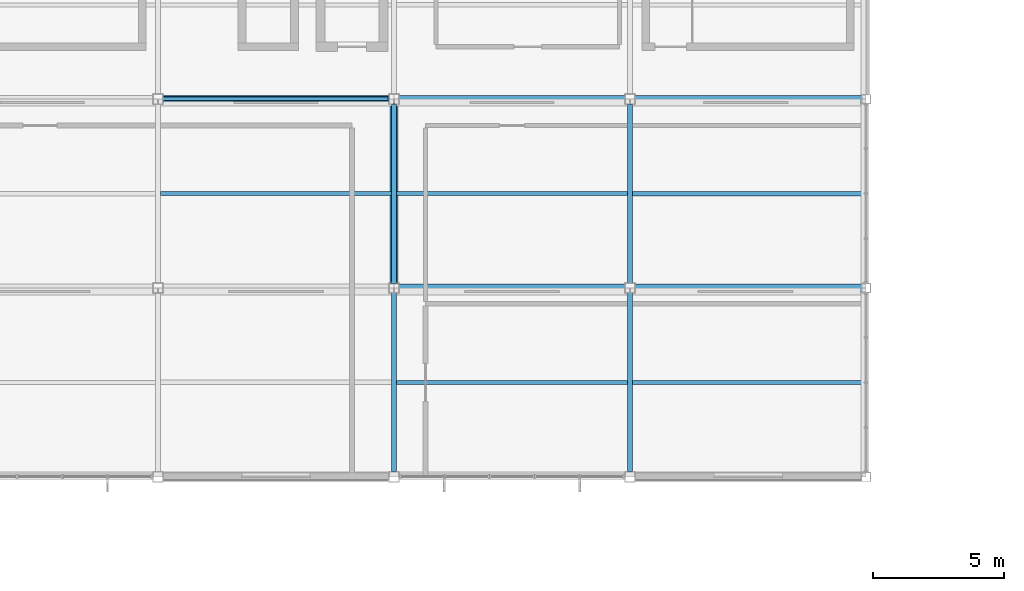
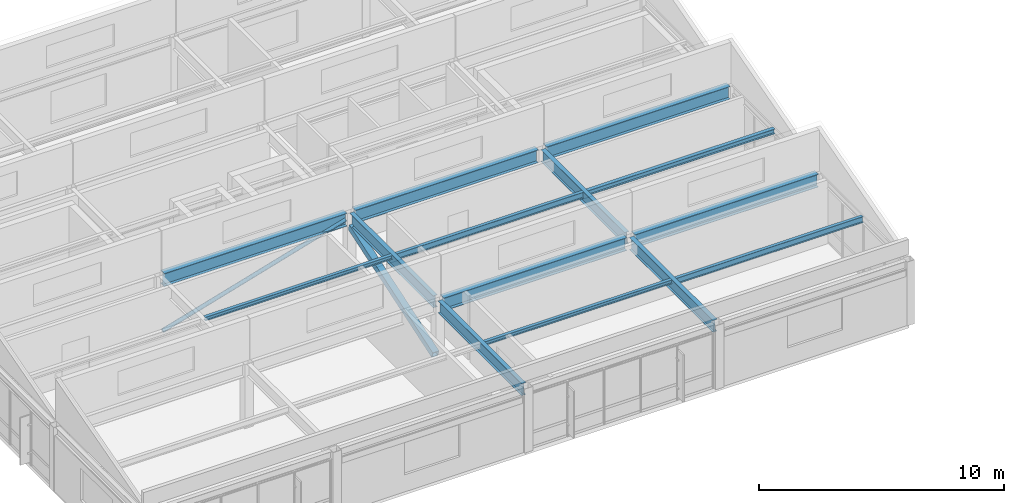
# One storey, part 11 of 43: 14 beams, 2 members.
"""IFC4 building model written with IfcOpenShell, lengths in metres."""

from ifc_helpers import new_model, si_unit, direction, frame, origin, origin_2d, place, context, subcontext, project, spatial, hollow_rectangle, hollow_circle, i_section, extrude, material, material_profile, profile_set, type_object, element, save


model = new_model("IFC4")

# Units and contexts
model_context = context("Model", 3, precision=1e-05, world=origin(), true_north=direction((0.0, 1.0)))
body_context = subcontext(model_context, "Body", "Model", "MODEL_VIEW")
ifc_project = project(units=[si_unit("LENGTHUNIT", "METRE"), si_unit("AREAUNIT", "SQUARE_METRE"), si_unit("VOLUMEUNIT", "CUBIC_METRE"), si_unit("PLANEANGLEUNIT", "RADIAN"), si_unit("MASSUNIT", "GRAM", prefix="KILO")], contexts=[model_context])

# Site, building, storey
site_placement = place(None, origin())
site = spatial("IfcSite", under=ifc_project, at=site_placement, CompositionType="ELEMENT")
building_placement = place(site_placement, origin())
building = spatial("IfcBuilding", under=site, at=building_placement, Name="Kazanami Central Library", CompositionType="ELEMENT")
storey_placement = place(building_placement, frame((0.0, 0.0, 20.60009765625)))
storey = spatial("IfcBuildingStorey", under=building, at=storey_placement, Name="L06", CompositionType="ELEMENT", Elevation=20.60009765625)

# Beams
ifc_material_1 = material(Name="Steel SN400B (235 MPa)", Category="steel")
ifc_material_profile_1 = material_profile(ifc_material_1, i_section(OverallWidth=0.14990234375, OverallDepth=0.300048828125, WebThickness=0.006591796875, FlangeThickness=0.009033203125, at=origin_2d()), Name="H-300x150x6.5x9")
ifc_profile_set_1 = profile_set([ifc_material_profile_1], Name="Steel SN400B (235 MPa)")
beam_type_1 = type_object("IfcBeamType", Name="BM-B-S4", PredefinedType="JOIST", material=ifc_profile_set_1)
for number, where, z_axis, x_axis, name in (
    (1, (18.097900390625, 75.60009765625, 3.02978515625), (1.0, 0.0, 0.0), (0.0, 1.0, 0.0), "Composite Secondary Joist B-S4 L06 Bay 3/L.1"),
    (2, (27.097900390625, 68.39990234375, 3.02978515625), (1.0, 0.0, 0.0), (0.0, 1.0, 0.0), "Composite Secondary Joist B-S4 L06 Bay 4/K.1"),
):
    element("IfcBeam", number, at=place(storey_placement, frame(where, z_axis=z_axis, x_axis=x_axis)), inside=storey, type_object=beam_type_1, Name=name, PredefinedType="JOIST", context=body_context, shape_type="SweptSolid", body=[
        extrude(i_section(OverallWidth=0.14990234375, OverallDepth=0.300048828125, WebThickness=0.006591796875, FlangeThickness=0.009033203125, at=origin_2d()), origin(), (0.0, 0.0, 1.0), 8.80419921875),
    ])
ifc_material_profile_2 = material_profile(ifc_material_1, i_section(OverallWidth=0.175048828125, OverallDepth=0.243896484375, WebThickness=0.007080078125, FlangeThickness=0.010986328125, at=origin_2d()), Name="H-244x175x7x11")
ifc_profile_set_2 = profile_set([ifc_material_profile_2], Name="Steel SN400B (235 MPa)")
beam_type_2 = type_object("IfcBeamType", Name="BM-B-S6", PredefinedType="JOIST", material=ifc_profile_set_2)
beam_1_placement = place(storey_placement, frame((27.097900390625, 75.60009765625, 3.057861328125), z_axis=(1.0, 0.0, 0.0), x_axis=(0.0, 1.0, 0.0)))
element("IfcBeam", 3, at=beam_1_placement, inside=storey, type_object=beam_type_2, Name="Composite Secondary Joist B-S6 L06 Bay 4/L.1", PredefinedType="JOIST", context=body_context, shape_type="SweptSolid", body=[
    extrude(i_section(OverallWidth=0.175048828125, OverallDepth=0.243896484375, WebThickness=0.007080078125, FlangeThickness=0.010986328125, at=origin_2d()), origin(), (0.0, 0.0, 1.0), 8.80419921875),
])
ifc_material_profile_3 = material_profile(ifc_material_1, i_section(OverallWidth=0.14990234375, OverallDepth=0.194091796875, WebThickness=0.006103515625, FlangeThickness=0.009033203125, at=origin_2d()), Name="H-194x150x6x9")
ifc_profile_set_3 = profile_set([ifc_material_profile_3], Name="Steel SN400B (235 MPa)")
beam_type_3 = type_object("IfcBeamType", Name="BM-B-S7", PredefinedType="JOIST", material=ifc_profile_set_3)
for number, where, z_axis, x_axis, name in (
    (4, (9.097900390625, 75.60009765625, 3.0830078125), (1.0, 0.0, 0.0), (0.0, 1.0, 0.0), "Composite Secondary Joist B-S7 L06 Bay 2/L.1"),
    (5, (18.097900390625, 68.39990234375, 3.0830078125), (1.0, 0.0, 0.0), (0.0, 1.0, 0.0), "Composite Secondary Joist B-S7 L06 Bay 3/K.1"),
):
    element("IfcBeam", number, at=place(storey_placement, frame(where, z_axis=z_axis, x_axis=x_axis)), inside=storey, type_object=beam_type_3, Name=name, PredefinedType="JOIST", context=body_context, shape_type="SweptSolid", body=[
        extrude(i_section(OverallWidth=0.14990234375, OverallDepth=0.194091796875, WebThickness=0.006103515625, FlangeThickness=0.009033203125, at=origin_2d()), origin(), (0.0, 0.0, 1.0), 8.80419921875),
    ])
ifc_material_2 = material(Name="Steel SN490B (325 MPa)", Category="steel")
ifc_material_profile_4 = material_profile(ifc_material_2, i_section(OverallWidth=0.300048828125, OverallDepth=0.64990234375, WebThickness=0.012939453125, FlangeThickness=0.02099609375, at=origin_2d()), Name="H-650x300x13x21")
ifc_profile_set_4 = profile_set([ifc_material_profile_4], Name="Steel SN490B (325 MPa)")
beam_type_4 = type_object("IfcBeamType", Name="BM-G-TR", PredefinedType="BEAM", material=ifc_profile_set_4)
beam_2_placement = place(storey_placement, frame((18.197998046875, 72.0, 2.85498046875), z_axis=(1.0, 0.0, 0.0), x_axis=(0.0, 1.0, 0.0)))
element("IfcBeam", 6, at=beam_2_placement, inside=storey, type_object=beam_type_4, Name="Girder G-TR L06 L/3-4", PredefinedType="BEAM", context=body_context, shape_type="SweptSolid", body=[
    extrude(i_section(OverallWidth=0.300048828125, OverallDepth=0.64990234375, WebThickness=0.012939453125, FlangeThickness=0.02099609375, at=origin_2d()), origin(), (0.0, 0.0, 1.0), 8.60400390625),
])
beam_3_placement = place(storey_placement, frame((27.197998046875, 72.0, 2.85498046875), z_axis=(1.0, 0.0, 0.0), x_axis=(0.0, 1.0, 0.0)))
element("IfcBeam", 7, at=beam_3_placement, inside=storey, type_object=beam_type_4, Name="Girder G-TR L06 L/4-5", PredefinedType="BEAM", context=body_context, shape_type="SweptSolid", body=[
    extrude(i_section(OverallWidth=0.300048828125, OverallDepth=0.64990234375, WebThickness=0.012939453125, FlangeThickness=0.02099609375, at=origin_2d()), origin(), (0.0, 0.0, 1.0), 8.62890625),
])
for number, where, z_axis, x_axis, name in (
    (8, (9.197998046875, 79.199951171875, 2.85498046875), (1.0, 0.0, 0.0), (0.0, 1.0, 0.0), "Girder G-TR L06 M/2-3"),
    (9, (18.197998046875, 79.199951171875, 2.85498046875), (1.0, 0.0, 0.0), (0.0, 1.0, 0.0), "Girder G-TR L06 M/3-4"),
):
    element("IfcBeam", number, at=place(storey_placement, frame(where, z_axis=z_axis, x_axis=x_axis)), inside=storey, type_object=beam_type_4, Name=name, PredefinedType="BEAM", context=body_context, shape_type="SweptSolid", body=[
        extrude(i_section(OverallWidth=0.300048828125, OverallDepth=0.64990234375, WebThickness=0.012939453125, FlangeThickness=0.02099609375, at=origin_2d()), origin(), (0.0, 0.0, 1.0), 8.60400390625),
    ])
beam_4_placement = place(storey_placement, frame((27.197998046875, 79.199951171875, 2.85498046875), z_axis=(1.0, 0.0, 0.0), x_axis=(0.0, 1.0, 0.0)))
element("IfcBeam", 10, at=beam_4_placement, inside=storey, type_object=beam_type_4, Name="Girder G-TR L06 M/4-5", PredefinedType="BEAM", context=body_context, shape_type="SweptSolid", body=[
    extrude(i_section(OverallWidth=0.300048828125, OverallDepth=0.64990234375, WebThickness=0.012939453125, FlangeThickness=0.02099609375, at=origin_2d()), origin(), (0.0, 0.0, 1.0), 8.62890625),
])
ifc_material_profile_5 = material_profile(ifc_material_2, i_section(OverallWidth=0.199951171875, OverallDepth=0.60009765625, WebThickness=0.010986328125, FlangeThickness=0.01708984375, at=origin_2d()), Name="H-600x200x11x17")
ifc_profile_set_5 = profile_set([ifc_material_profile_5], Name="Steel SN490B (325 MPa)")
beam_type_5 = type_object("IfcBeamType", Name="BM-G-Y1", PredefinedType="BEAM", material=ifc_profile_set_5)
for number, where, z_axis, x_axis, name in (
    (11, (18.0, 64.998046875, 2.8798828125), (0.0, 1.0, 0.0), (-1.0, 0.0, 0.0), "Girder G-Y1 L06 3/K-L"),
    (12, (18.0, 72.197998046875, 2.8798828125), (0.0, 1.0, 0.0), (-1.0, 0.0, 0.0), "Girder G-Y1 L06 3/L-M"),
    (13, (27.0, 64.998046875, 2.8798828125), (0.0, 1.0, 0.0), (-1.0, 0.0, 0.0), "Girder G-Y1 L06 4/K-L"),
    (14, (27.0, 72.197998046875, 2.8798828125), (0.0, 1.0, 0.0), (-1.0, 0.0, 0.0), "Girder G-Y1 L06 4/L-M"),
):
    element("IfcBeam", number, at=place(storey_placement, frame(where, z_axis=z_axis, x_axis=x_axis)), inside=storey, type_object=beam_type_5, Name=name, PredefinedType="BEAM", context=body_context, shape_type="SweptSolid", body=[
        extrude(i_section(OverallWidth=0.199951171875, OverallDepth=0.60009765625, WebThickness=0.010986328125, FlangeThickness=0.01708984375, at=origin_2d()), origin(), (0.0, 0.0, 1.0), 6.803955078125),
    ])

# Members
ifc_material_3 = material(Name="Steel STK490 (315 MPa)", Category="steel")
ifc_material_profile_6 = material_profile(ifc_material_3, hollow_circle(Radius=0.095458984375, WallThickness=0.007080078125, at=origin_2d()), Name="CHS-190.7x7.0")
ifc_profile_set_6 = profile_set([ifc_material_profile_6], Name="Steel STK490 (315 MPa)")
member_type_1 = type_object("IfcMemberType", Name="MEM-BR-05", PredefinedType="BRACE", material=ifc_profile_set_6)
member_1_placement = place(storey_placement, frame((9.199951171875, 79.199951171875, 0.25), z_axis=(0.95935509291, 0.0, 0.28220171103), x_axis=(0.0, 1.0, 0.0)))
element("IfcMember", 15, at=member_1_placement, inside=storey, type_object=member_type_1, Name="Concentric Steel Brace BR-05 L06 BF-V4A", PredefinedType="BRACE", context=body_context, shape_type="SweptSolid", body=[
    extrude(hollow_circle(Radius=0.095458984375, WallThickness=0.007080078125, at=origin_2d()), origin(), (0.0, 0.0, 1.0), 8.96435546875),
])
ifc_material_profile_7 = material_profile(ifc_material_3, hollow_rectangle(XDim=0.300048828125, YDim=0.300048828125, WallThickness=0.011962890625, at=origin_2d()), Name="STKR-300x300x12")
ifc_profile_set_7 = profile_set([ifc_material_profile_7], Name="Steel STK490 (315 MPa)")
member_type_2 = type_object("IfcMemberType", Name="MEM-BR-06", PredefinedType="BRACE", material=ifc_profile_set_7)
member_2_placement = place(storey_placement, frame((18.0, 72.199951171875, 0.25), z_axis=(0.0, 0.949379732094, 0.314130743941), x_axis=(-1.0, 0.0, 0.0)))
element("IfcMember", 16, at=member_2_placement, inside=storey, type_object=member_type_2, Name="Concentric Steel Brace BR-06 L06 BF-V4B", PredefinedType="BRACE", context=body_context, shape_type="SweptSolid", body=[
    extrude(hollow_rectangle(XDim=0.300048828125, YDim=0.300048828125, WallThickness=0.011962890625, at=origin_2d()), origin(), (0.0, 0.0, 1.0), 7.16259765625),
])

save(model, "model.ifc")
